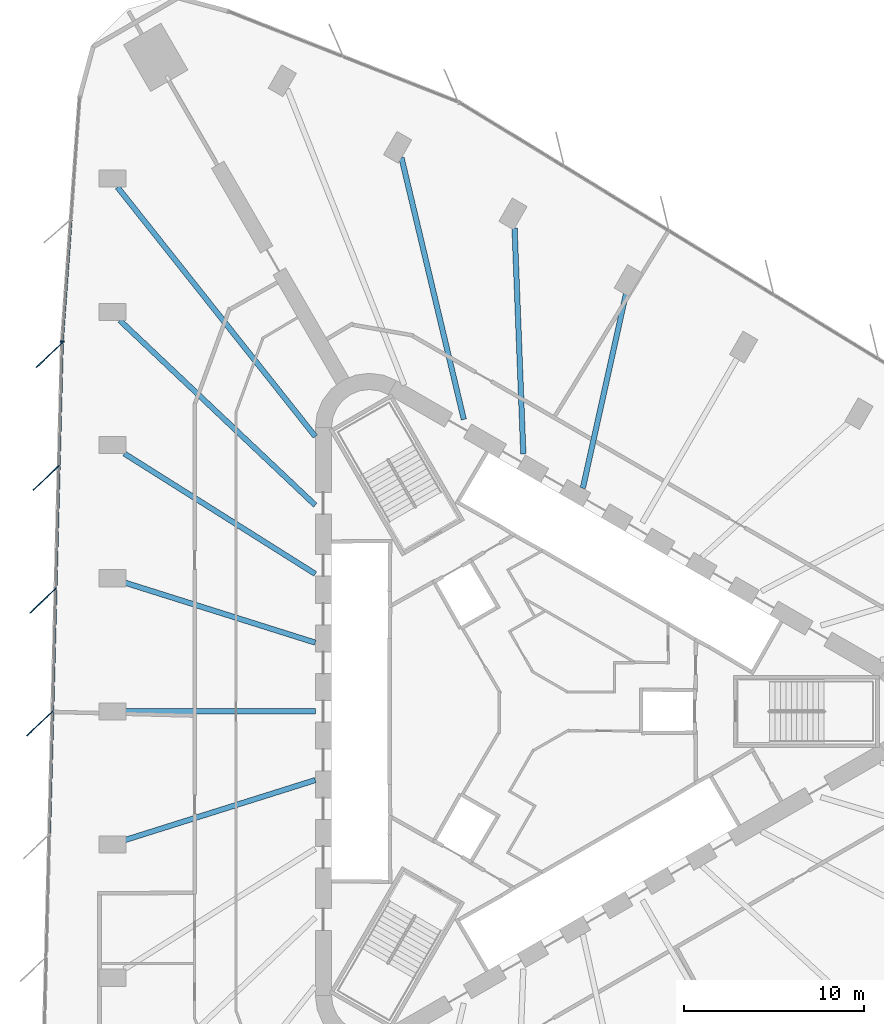
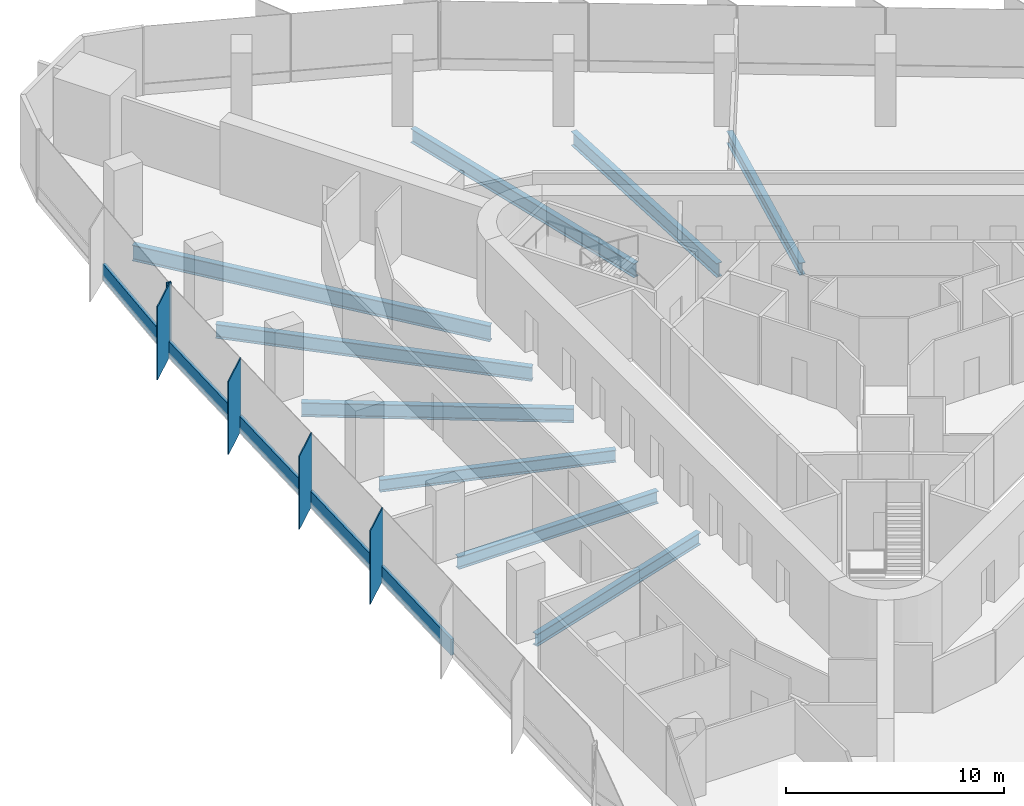
# One storey, part 4 of 13: 10 members, 9 beams, 2 elements without a shape of their own.
"""IFC4 building model written with IfcOpenShell, lengths in metres."""

from ifc_helpers import new_model, si_unit, direction, frame, origin, origin_2d, place, context, subcontext, project, spatial, rectangle, i_section, extrude, material, material_profile, profile_set, type_object, element, aggregate, save


model = new_model("IFC4")

# Units and contexts
model_context = context("Model", 3, precision=1e-05, world=origin(), true_north=direction((0.0, 1.0)))
body_context = subcontext(model_context, "Body", "Model", "MODEL_VIEW")
ifc_project = project(units=[si_unit("LENGTHUNIT", "METRE"), si_unit("AREAUNIT", "SQUARE_METRE"), si_unit("VOLUMEUNIT", "CUBIC_METRE"), si_unit("PLANEANGLEUNIT", "RADIAN"), si_unit("MASSUNIT", "GRAM", prefix="KILO")], contexts=[model_context])

# Site, building, storey
site_placement = place(None, origin())
site = spatial("IfcSite", under=ifc_project, at=site_placement, CompositionType="ELEMENT")
building_placement = place(site_placement, origin())
building = spatial("IfcBuilding", under=site, at=building_placement, Name="Tanit Gate Tower", CompositionType="ELEMENT")
storey_placement = place(building_placement, frame((0.0, 0.0, 57.800048828125)))
storey = spatial("IfcBuildingStorey", under=building, at=storey_placement, Name="L10", CompositionType="ELEMENT", Elevation=57.800048828125)

# Curtain wall, members
ifc_material_1 = material(Name="Aluminium bronze anodised and glass", Category="aluminium")
curtain_wall_type = type_object("IfcCurtainWallType", Name="Curtain wall typical low", PredefinedType="NOTDEFINED", material=ifc_material_1)
curtain_wall_1_placement = place(storey_placement, origin())
curtain_wall_1 = element("IfcCurtainWall", 1, at=curtain_wall_1_placement, inside=storey, type_object=curtain_wall_type, Name="Curtain wall L10 W2", PredefinedType="NOTDEFINED")
ifc_material_2 = material(Name="Aluminium bronze anodised", Category="aluminium")
ifc_material_profile_1 = material_profile(ifc_material_2, rectangle(XDim=2.0, YDim=0.055908203125, at=origin_2d()), Name="56x2000 bronze fin mullion")
ifc_profile_set_1 = profile_set([ifc_material_profile_1], Name="Aluminium bronze anodised")
member_type_1 = type_object("IfcMemberType", Name="FIN MULLION 56x2000 bronze", PredefinedType="MULLION", material=ifc_profile_set_1)
member_1_placement = place(storey_placement, frame((-26.86279296875, 19.77392578125, -0.300048828125), z_axis=(0.0, 0.0, 1.0), x_axis=(0.725200158595, 0.688538110764, 0.0)))
member_1 = element("IfcMember", 2, at=member_1_placement, type_object=member_type_1, Name="Fin mullion L10 W2.1", PredefinedType="MULLION", context=body_context, shape_type="SweptSolid", body=[
    extrude(rectangle(XDim=2.0, YDim=0.055908203125, at=origin_2d()), origin(), (0.0, 0.0, 1.0), 4.10009765625),
])
member_2_placement = place(storey_placement, frame((-27.039306640625, 12.95849609375, -0.300048828125), z_axis=(0.0, 0.0, 1.0), x_axis=(0.725200158595, 0.688538110764, 0.0)))
member_2 = element("IfcMember", 3, at=member_2_placement, type_object=member_type_1, Name="Fin mullion L10 W2.2", PredefinedType="MULLION", context=body_context, shape_type="SweptSolid", body=[
    extrude(rectangle(XDim=2.0, YDim=0.055908203125, at=origin_2d()), origin(), (0.0, 0.0, 1.0), 4.10009765625),
])
member_3_placement = place(storey_placement, frame((-27.216064453125, 6.14306640625, -0.300048828125), z_axis=(0.0, 0.0, 1.0), x_axis=(0.725200158595, 0.688538110764, 0.0)))
member_3 = element("IfcMember", 4, at=member_3_placement, type_object=member_type_1, Name="Fin mullion L10 W2.3", PredefinedType="MULLION", context=body_context, shape_type="SweptSolid", body=[
    extrude(rectangle(XDim=2.0, YDim=0.055908203125, at=origin_2d()), origin(), (0.0, 0.0, 1.0), 4.10009765625),
])
member_4_placement = place(storey_placement, frame((-27.392822265625, -0.672119140625, -0.300048828125), z_axis=(0.0, 0.0, 1.0), x_axis=(0.725200158595, 0.688538110764, 0.0)))
member_4 = element("IfcMember", 5, at=member_4_placement, type_object=member_type_1, Name="Fin mullion L10 W2.4", PredefinedType="MULLION", context=body_context, shape_type="SweptSolid", body=[
    extrude(rectangle(XDim=2.0, YDim=0.055908203125, at=origin_2d()), origin(), (0.0, 0.0, 1.0), 4.10009765625),
])

# Curtain wall, member
curtain_wall_2_placement = place(storey_placement, origin())
curtain_wall_2 = element("IfcCurtainWall", 6, at=curtain_wall_2_placement, inside=storey, type_object=curtain_wall_type, Name="Curtain wall L10 W1", PredefinedType="NOTDEFINED")
ifc_material_3 = material(Name="Aluminium bronze anodised", Category="aluminium")
ifc_material_profile_2 = material_profile(ifc_material_3, rectangle(XDim=0.239990234375, YDim=0.080078125, at=origin_2d()), Name="80x240 bronze mullion")
ifc_profile_set_2 = profile_set([ifc_material_profile_2], Name="Aluminium bronze anodised")
member_type_2 = type_object("IfcMemberType", Name="Mullion 80x240 typical low", PredefinedType="MULLION", material=ifc_profile_set_2)
member_5_placement = place(storey_placement, frame((-26.14990234375, 20.52685546875, -0.300048828125), z_axis=(0.0, 0.0, 1.0), x_axis=(0.997446413734, -0.07141884716, 0.0)))
member_5 = element("IfcMember", 7, at=member_5_placement, type_object=member_type_2, Name="Mullion L10 W1.3", PredefinedType="MULLION", context=body_context, shape_type="SweptSolid", body=[
    extrude(rectangle(XDim=0.239990234375, YDim=0.080078125, at=origin_2d()), origin(), (0.0, 0.0, 1.0), 4.10009765625),
])

# Beams
ifc_material_4 = material(Name="Steel S355", Category="steel")
ifc_material_profile_3 = material_profile(ifc_material_4, i_section(OverallWidth=0.300048828125, OverallDepth=0.68994140625, WebThickness=0.014404296875, FlangeThickness=0.027099609375, FilletRadius=0.027099609375, at=origin_2d()), Name="HEA 700")
ifc_profile_set_3 = profile_set([ifc_material_profile_3], Name="Steel S355")
beam_type_1 = type_object("IfcBeamType", Name="RADIAL GIRDER HEA 700 S355", PredefinedType="BEAM", material=ifc_profile_set_3)
for number, where, z_axis, x_axis, name in (
    (8, (-22.703369140625, -7.155029296875, -0.64501953125), (0.953756118735, 0.300581546298, 0.0), (-0.300581546298, 0.953756118735, 0.0), "RADIAL GIRDER"),
    (9, (5.1552734375, 23.2392578125, -0.64501953125), (-0.216567644873, -0.976267614537, 0.0), (0.976267614537, -0.216567644873, 0.0), "RADIAL GIRDER"),
    (10, (-22.703369140625, 7.155029296875, -0.64501953125), (0.953756118735, -0.300581546298, 0.0), (0.300581546298, 0.953756118735, 0.0), "RADIAL GIRDER"),
):
    element("IfcBeam", number, at=place(storey_placement, frame(where, z_axis=z_axis, x_axis=x_axis)), inside=storey, type_object=beam_type_1, Name=name, PredefinedType="BEAM", context=body_context, shape_type="SweptSolid", body=[
        extrude(i_section(OverallWidth=0.300048828125, OverallDepth=0.68994140625, WebThickness=0.014404296875, FlangeThickness=0.027099609375, FilletRadius=0.027099609375, at=origin_2d()), origin(), (0.0, 0.0, 1.0), 11.115234375),
    ])
beam_1_placement = place(storey_placement, frame((-22.703369140625, 0.0, -0.64501953125), z_axis=(1.0, 0.0, 0.0), x_axis=(0.0, 1.0, 0.0)))
element("IfcBeam", 11, at=beam_1_placement, inside=storey, type_object=beam_type_1, Name="RADIAL GIRDER", PredefinedType="BEAM", context=body_context, shape_type="SweptSolid", body=[
    extrude(i_section(OverallWidth=0.300048828125, OverallDepth=0.68994140625, WebThickness=0.014404296875, FlangeThickness=0.027099609375, FilletRadius=0.027099609375, at=origin_2d()), origin(), (0.0, 0.0, 1.0), 10.601318359375),
])
ifc_material_5 = material(Name="Steel S355", Category="steel")
ifc_material_profile_4 = material_profile(ifc_material_5, i_section(OverallWidth=0.300048828125, OverallDepth=0.7900390625, WebThickness=0.014892578125, FlangeThickness=0.028076171875, FilletRadius=0.030029296875, at=origin_2d()), Name="HEA 800")
ifc_profile_set_4 = profile_set([ifc_material_profile_4], Name="Steel S355")
beam_type_2 = type_object("IfcBeamType", Name="RADIAL GIRDER HEA 800 S355", PredefinedType="BEAM", material=ifc_profile_set_4)
beam_2_placement = place(storey_placement, frame((-1.041259765625, 26.81689453125, -0.695068359375), z_axis=(0.038788513733, -0.99924744243, 0.0), x_axis=(0.99924744243, 0.038788513733, 0.0)))
element("IfcBeam", 12, at=beam_2_placement, inside=storey, type_object=beam_type_2, Name="RADIAL GIRDER", PredefinedType="BEAM", context=body_context, shape_type="SweptSolid", body=[
    extrude(i_section(OverallWidth=0.300048828125, OverallDepth=0.7900390625, WebThickness=0.014892578125, FlangeThickness=0.028076171875, FilletRadius=0.030029296875, at=origin_2d()), origin(), (0.0, 0.0, 1.0), 12.53173828125),
])
beam_3_placement = place(storey_placement, frame((-7.316650390625, 30.725830078125, -0.695068359375), z_axis=(0.231658845557, -0.972797090495, 0.0), x_axis=(0.972797090495, 0.231658845557, 0.0)))
element("IfcBeam", 13, at=beam_3_placement, inside=storey, type_object=beam_type_2, Name="RADIAL GIRDER", PredefinedType="BEAM", context=body_context, shape_type="SweptSolid", body=[
    extrude(i_section(OverallWidth=0.300048828125, OverallDepth=0.7900390625, WebThickness=0.014892578125, FlangeThickness=0.028076171875, FilletRadius=0.030029296875, at=origin_2d()), origin(), (0.0, 0.0, 1.0), 14.930419921875),
])
beam_4_placement = place(storey_placement, frame((-22.950927734375, 21.69921875, -0.695068359375), z_axis=(0.726639827007, -0.687018603683, 0.0), x_axis=(0.687018603683, 0.726639827007, 0.0)))
element("IfcBeam", 14, at=beam_4_placement, inside=storey, type_object=beam_type_2, Name="RADIAL GIRDER", PredefinedType="BEAM", context=body_context, shape_type="SweptSolid", body=[
    extrude(i_section(OverallWidth=0.300048828125, OverallDepth=0.7900390625, WebThickness=0.014892578125, FlangeThickness=0.028076171875, FilletRadius=0.030029296875, at=origin_2d()), origin(), (0.0, 0.0, 1.0), 14.93017578125),
])
beam_5_placement = place(storey_placement, frame((-22.703369140625, 14.310302734375, -0.695068359375), z_axis=(0.845964004255, -0.533240005537, 0.0), x_axis=(0.533240005537, 0.845964004255, 0.0)))
element("IfcBeam", 15, at=beam_5_placement, inside=storey, type_object=beam_type_2, Name="RADIAL GIRDER", PredefinedType="BEAM", context=body_context, shape_type="SweptSolid", body=[
    extrude(i_section(OverallWidth=0.300048828125, OverallDepth=0.7900390625, WebThickness=0.014892578125, FlangeThickness=0.028076171875, FilletRadius=0.030029296875, at=origin_2d()), origin(), (0.0, 0.0, 1.0), 12.53173828125),
])
ifc_material_6 = material(Name="Steel S355", Category="steel")
ifc_material_profile_5 = material_profile(ifc_material_6, i_section(OverallWidth=0.300048828125, OverallDepth=0.889892578125, WebThickness=0.01611328125, FlangeThickness=0.030029296875, FilletRadius=0.030029296875, at=origin_2d()), Name="HEA 900")
ifc_profile_set_5 = profile_set([ifc_material_profile_5], Name="Steel S355")
beam_type_3 = type_object("IfcBeamType", Name="RADIAL GIRDER HEA 900 S355", PredefinedType="BEAM", material=ifc_profile_set_5)
beam_6_placement = place(storey_placement, frame((-23.07666015625, 29.0908203125, -0.7451171875), z_axis=(0.621472845829, -0.783435703742, 0.0), x_axis=(0.783435703742, 0.621472845829, 0.0)))
element("IfcBeam", 16, at=beam_6_placement, inside=storey, type_object=beam_type_3, Name="RADIAL GIRDER", PredefinedType="BEAM", context=body_context, shape_type="SweptSolid", body=[
    extrude(i_section(OverallWidth=0.300048828125, OverallDepth=0.889892578125, WebThickness=0.01611328125, FlangeThickness=0.030029296875, FilletRadius=0.030029296875, at=origin_2d()), origin(), (0.0, 0.0, 1.0), 17.658935546875),
])

# Member
ifc_material_7 = material(Name="Aluminium bronze anodised", Category="aluminium")
ifc_material_profile_6 = material_profile(ifc_material_7, rectangle(XDim=0.159912109375, YDim=0.89990234375, at=origin_2d()), Name="160x900 bronze transom")
ifc_profile_set_6 = profile_set([ifc_material_profile_6], Name="Aluminium bronze anodised")
member_type_3 = type_object("IfcMemberType", Name="Transom 160x900 typical low", PredefinedType="USERDEFINED", material=ifc_profile_set_6)
member_6_placement = place(storey_placement, frame((-25.667236328125, 27.270751953125, 0.14990234375), z_axis=(-0.071412256994, -0.997446885579, 0.0), x_axis=(0.997446885579, -0.071412256994, 0.0)))
member_6 = element("IfcMember", 17, at=member_6_placement, type_object=member_type_3, Name="Transom L10 W1.2", ObjectType="TRANSOM", PredefinedType="USERDEFINED", context=body_context, shape_type="SweptSolid", body=[
    extrude(rectangle(XDim=0.159912109375, YDim=0.89990234375, at=origin_2d()), origin(), (0.0, 0.0, 1.0), 6.72119140625),
])

aggregate(curtain_wall_2, [member_5, member_6])

member_7_placement = place(storey_placement, frame((-26.155029296875, 20.406982421875, 0.14990234375), z_axis=(-0.025907427148, -0.999664346278, 0.0), x_axis=(0.999664346278, -0.025907427148, 0.0)))
member_7 = element("IfcMember", 18, at=member_7_placement, type_object=member_type_3, Name="Transom L10 W2.1", ObjectType="TRANSOM", PredefinedType="USERDEFINED", context=body_context, shape_type="SweptSolid", body=[
    extrude(rectangle(XDim=0.159912109375, YDim=0.89990234375, at=origin_2d()), origin(), (0.0, 0.0, 1.0), 6.73779296875),
])

member_8_placement = place(storey_placement, frame((-26.331787109375, 13.591552734375, 0.14990234375), z_axis=(-0.025908365601, -0.999664321956, 0.0), x_axis=(0.999664321956, -0.025908365601, 0.0)))
member_8 = element("IfcMember", 19, at=member_8_placement, type_object=member_type_3, Name="Transom L10 W2.2", ObjectType="TRANSOM", PredefinedType="USERDEFINED", context=body_context, shape_type="SweptSolid", body=[
    extrude(rectangle(XDim=0.159912109375, YDim=0.89990234375, at=origin_2d()), origin(), (0.0, 0.0, 1.0), 6.737548828125),
])

member_9_placement = place(storey_placement, frame((-26.50830078125, 6.776123046875, 0.14990234375), z_axis=(-0.025944576703, -0.999663382814, 0.0), x_axis=(0.999663382814, -0.025944576703, 0.0)))
member_9 = element("IfcMember", 20, at=member_9_placement, type_object=member_type_3, Name="Transom L10 W2.3", ObjectType="TRANSOM", PredefinedType="USERDEFINED", context=body_context, shape_type="SweptSolid", body=[
    extrude(rectangle(XDim=0.159912109375, YDim=0.89990234375, at=origin_2d()), origin(), (0.0, 0.0, 1.0), 6.737548828125),
])

member_10_placement = place(storey_placement, frame((-26.68505859375, -0.039306640625, 0.14990234375), z_axis=(-0.025944576703, -0.999663382814, 0.0), x_axis=(0.999663382814, -0.025944576703, 0.0)))
member_10 = element("IfcMember", 21, at=member_10_placement, type_object=member_type_3, Name="Transom L10 W2.4", ObjectType="TRANSOM", PredefinedType="USERDEFINED", context=body_context, shape_type="SweptSolid", body=[
    extrude(rectangle(XDim=0.159912109375, YDim=0.89990234375, at=origin_2d()), origin(), (0.0, 0.0, 1.0), 6.737548828125),
])

aggregate(curtain_wall_1, [member_1, member_2, member_3, member_4, member_7, member_8, member_9, member_10])

save(model, "model.ifc")
